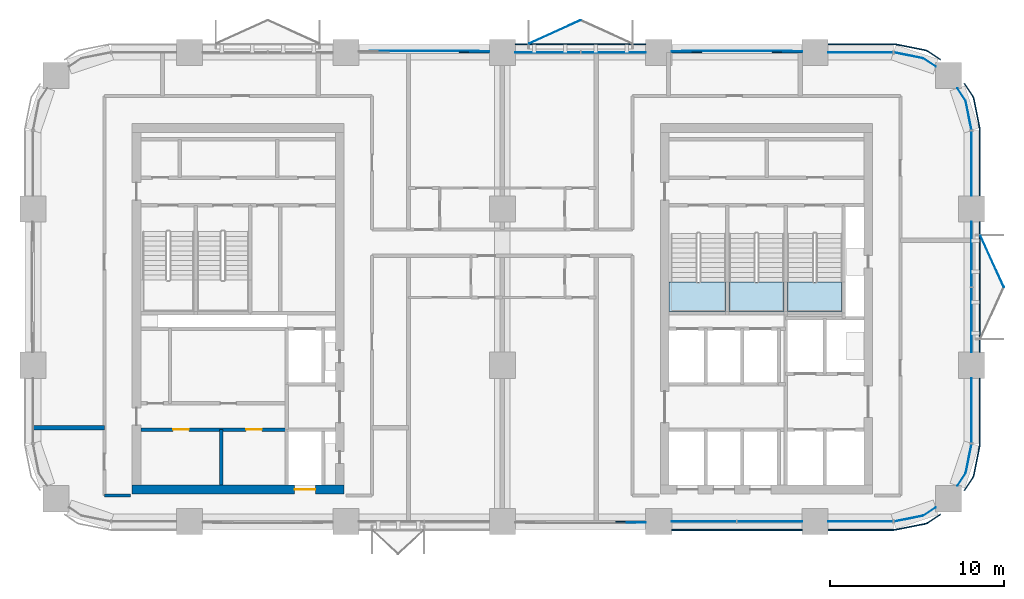
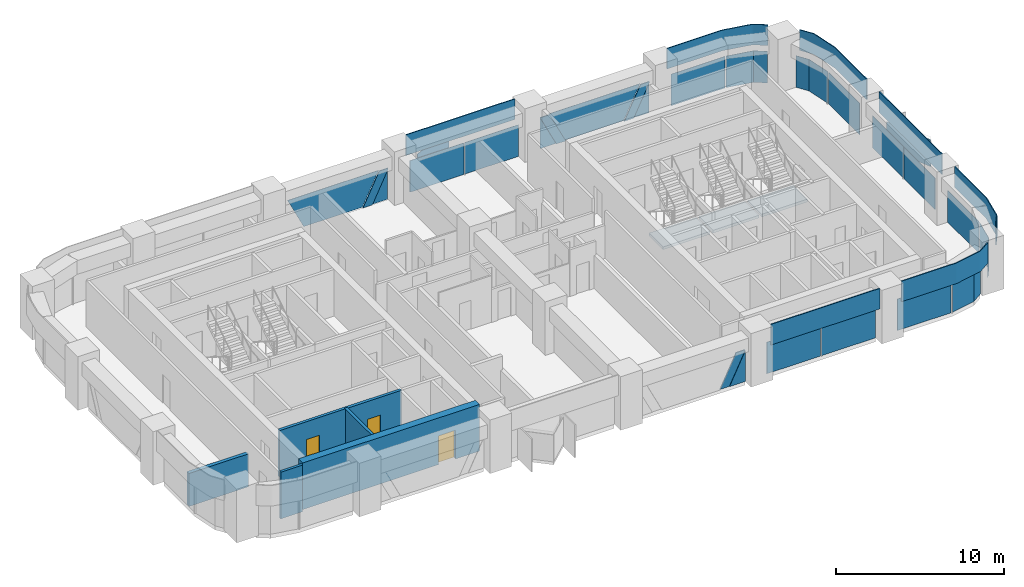
# One storey, part 7 of 14: 33 plates, 5 walls, 3 doors, 3 slabs, 3 openings, 13 elements without a shape of their own.
"""IFC4 building model written with IfcOpenShell, lengths in metres."""

from ifc_helpers import new_model, si_unit, direction, frame, frame_2d, origin, origin_2d, place, context, subcontext, project, spatial, polyline, rectangle, outline, extrude, material, layer, layer_set, type_object, element, fill, aggregate, save


model = new_model("IFC4")

# Units and contexts
model_context = context("Model", 3, precision=1e-05, world=origin(), true_north=direction((0.0, 1.0)))
body_context = subcontext(model_context, "Body", "Model", "MODEL_VIEW")
ifc_project = project(units=[si_unit("LENGTHUNIT", "METRE"), si_unit("AREAUNIT", "SQUARE_METRE"), si_unit("VOLUMEUNIT", "CUBIC_METRE"), si_unit("PLANEANGLEUNIT", "RADIAN"), si_unit("MASSUNIT", "GRAM", prefix="KILO")], contexts=[model_context])

# Site, building, storey
site_placement = place(None, origin())
site = spatial("IfcSite", under=ifc_project, at=site_placement, CompositionType="ELEMENT")
building_placement = place(site_placement, origin())
building = spatial("IfcBuilding", under=site, at=building_placement, Name="Tessera Arch", CompositionType="ELEMENT")
storey_placement = place(building_placement, frame((0.0, 0.0, 193.39990234375)))
storey = spatial("IfcBuildingStorey", under=building, at=storey_placement, Name="L46", CompositionType="ELEMENT", Elevation=193.39990234375)

# Curtain wall, plates
ifc_material_1 = material(Name="CW1 curtain wall")
curtain_wall_type_1 = type_object("IfcCurtainWallType", Name="CW1 curtain wall", PredefinedType="NOTDEFINED", material=ifc_material_1)
curtain_wall_1_placement = place(storey_placement, origin())
curtain_wall_1 = element("IfcCurtainWall", 1, at=curtain_wall_1_placement, inside=storey, type_object=curtain_wall_type_1, Name="CW1 curtain wall E54.27/0 L46", PredefinedType="NOTDEFINED")
ifc_material_2 = material(Name="Clear low-e glass", Category="glass")
ifc_material_3 = material(Name="Clear low-e glass", Category="glass")
ifc_layer_1 = layer(ifc_material_3, 0.028076171875)
ifc_layer_set_1 = layer_set([ifc_layer_1], Name="CW1 glass panel")
plate_type_1 = type_object("IfcPlateType", Name="CW1 glass panel", PredefinedType="CURTAIN_PANEL", material=ifc_layer_set_1)
plate_1_placement = place(storey_placement, frame((54.0, 38.610107421875, 0.0), z_axis=(0.0, 0.0, 1.0), x_axis=(0.0, 1.0, 0.0)))
plate_1 = element("IfcPlate", 2, at=plate_1_placement, type_object=plate_type_1, material=ifc_material_2, Name="CW1 glass panel E54.27/0 1.1.1", PredefinedType="CURTAIN_PANEL", context=body_context, shape_type="SweptSolid", body=[
    extrude(rectangle(XDim=3.719970703125, YDim=0.028076171875, at=origin_2d()), origin(), (0.0, 0.0, 1.0), 2.300048828125),
])
plate_2_placement = place(storey_placement, frame((54.0, 42.389892578125, 0.0), z_axis=(0.0, 0.0, 1.0), x_axis=(0.0, 1.0, 0.0)))
plate_2 = element("IfcPlate", 3, at=plate_2_placement, type_object=plate_type_1, material=ifc_material_2, Name="CW1 glass panel E54.27/0 1.2.1", PredefinedType="CURTAIN_PANEL", context=body_context, shape_type="SweptSolid", body=[
    extrude(rectangle(XDim=3.719970703125, YDim=0.028076171875, at=origin_2d()), origin(), (0.0, 0.0, 1.0), 2.300048828125),
])

curtain_wall_2_placement = place(storey_placement, origin())
curtain_wall_2 = element("IfcCurtainWall", 4, at=curtain_wall_2_placement, inside=storey, type_object=curtain_wall_type_1, Name="CW1 curtain wall N54.0/2 L46", PredefinedType="NOTDEFINED")
plate_3_placement = place(storey_placement, frame((33.389892578125, 54.0, 0.0), z_axis=(0.0, 0.0, 1.0), x_axis=(-1.0, 0.0, 0.0)))
plate_3 = element("IfcPlate", 5, at=plate_3_placement, type_object=plate_type_1, material=ifc_material_2, Name="CW1 glass panel N54.0/2 1.1.1", PredefinedType="CURTAIN_PANEL", context=body_context, shape_type="SweptSolid", body=[
    extrude(rectangle(XDim=3.719970703125, YDim=0.028076171875, at=origin_2d()), origin(), (0.0, 0.0, 1.0), 2.300048828125),
])
plate_4_placement = place(storey_placement, frame((29.610107421875, 54.0, 0.0), z_axis=(0.0, 0.0, 1.0), x_axis=(-1.0, 0.0, 0.0)))
plate_4 = element("IfcPlate", 6, at=plate_4_placement, type_object=plate_type_1, material=ifc_material_2, Name="CW1 glass panel N54.0/2 1.2.1", PredefinedType="CURTAIN_PANEL", context=body_context, shape_type="SweptSolid", body=[
    extrude(rectangle(XDim=3.719970703125, YDim=0.028076171875, at=origin_2d()), origin(), (0.0, 0.0, 1.0), 2.300048828125),
])

curtain_wall_3_placement = place(storey_placement, origin())
curtain_wall_3 = element("IfcCurtainWall", 7, at=curtain_wall_3_placement, inside=storey, type_object=curtain_wall_type_1, Name="CW1 curtain wall S27.0/4 L46", PredefinedType="NOTDEFINED")
plate_5_placement = place(storey_placement, frame((38.610107421875, 27.0, 0.0), z_axis=(0.0, 0.0, 1.0), x_axis=(1.0, 0.0, 0.0)))
plate_5 = element("IfcPlate", 8, at=plate_5_placement, type_object=plate_type_1, material=ifc_material_2, Name="CW1 glass panel S27.0/4 1.1.1", PredefinedType="CURTAIN_PANEL", context=body_context, shape_type="SweptSolid", body=[
    extrude(rectangle(XDim=3.719970703125, YDim=0.028076171875, at=origin_2d()), origin(), (0.0, 0.0, 1.0), 2.300048828125),
])
plate_6_placement = place(storey_placement, frame((42.389892578125, 27.0, 0.0), z_axis=(0.0, 0.0, 1.0), x_axis=(1.0, 0.0, 0.0)))
plate_6 = element("IfcPlate", 9, at=plate_6_placement, type_object=plate_type_1, material=ifc_material_2, Name="CW1 glass panel S27.0/4 1.2.1", PredefinedType="CURTAIN_PANEL", context=body_context, shape_type="SweptSolid", body=[
    extrude(rectangle(XDim=3.719970703125, YDim=0.028076171875, at=origin_2d()), origin(), (0.0, 0.0, 1.0), 2.300048828125),
])

# Plate
ifc_material_4 = material(Name="Pale anodised aluminium panel", Category="aluminium")
ifc_layer_2 = layer(ifc_material_4, 0.06005859375)
ifc_layer_set_2 = layer_set([ifc_layer_2], Name="CW1 spandrel panel")
plate_type_2 = type_object("IfcPlateType", Name="CW1 spandrel panel", PredefinedType="CURTAIN_PANEL", material=ifc_layer_set_2)
plate_7_placement = place(storey_placement, frame((54.47998046875, 40.5, 2.400146484375), z_axis=(0.0, 0.0, 1.0), x_axis=(0.0, 1.0, 0.0)))
plate_7 = element("IfcPlate", 10, at=plate_7_placement, type_object=plate_type_2, Name="CW1 spandrel panel E54.27/0", PredefinedType="CURTAIN_PANEL", context=body_context, shape_type="SweptSolid", body=[
    extrude(rectangle(XDim=7.5, YDim=0.06005859375, at=origin_2d()), origin(), (0.0, 0.0, 1.0), 1.5),
])

aggregate(curtain_wall_1, [plate_1, plate_2, plate_7])

plate_8_placement = place(storey_placement, frame((31.5, 54.47998046875, 2.400146484375), z_axis=(0.0, 0.0, 1.0), x_axis=(-1.0, 0.0, 0.0)))
plate_8 = element("IfcPlate", 11, at=plate_8_placement, type_object=plate_type_2, Name="CW1 spandrel panel N54.0/2", PredefinedType="CURTAIN_PANEL", context=body_context, shape_type="SweptSolid", body=[
    extrude(rectangle(XDim=7.5, YDim=0.06005859375, at=origin_2d()), origin(), (0.0, 0.0, 1.0), 1.5),
])

aggregate(curtain_wall_2, [plate_3, plate_4, plate_8])

plate_9_placement = place(storey_placement, frame((40.5, 26.52001953125, 2.400146484375), z_axis=(0.0, 0.0, 1.0), x_axis=(1.0, 0.0, 0.0)))
plate_9 = element("IfcPlate", 12, at=plate_9_placement, type_object=plate_type_2, Name="CW1 spandrel panel S27.0/4", PredefinedType="CURTAIN_PANEL", context=body_context, shape_type="SweptSolid", body=[
    extrude(rectangle(XDim=7.5, YDim=0.06005859375, at=origin_2d()), origin(), (0.0, 0.0, 1.0), 1.5),
])

aggregate(curtain_wall_3, [plate_5, plate_6, plate_9])

# Curtain wall, plates
ifc_material_5 = material(Name="CW2 curtain wall")
curtain_wall_type_2 = type_object("IfcCurtainWallType", Name="CW2 curtain wall", PredefinedType="NOTDEFINED", material=ifc_material_5)
curtain_wall_4_placement = place(storey_placement, origin())
curtain_wall_4 = element("IfcCurtainWall", 13, at=curtain_wall_4_placement, inside=storey, type_object=curtain_wall_type_2, Name="CW2 curtain wall E54.27/1 L46", PredefinedType="NOTDEFINED")
ifc_material_6 = material(Name="Clear low-e glass", Category="glass")
ifc_layer_3 = layer(ifc_material_6, 0.028076171875)
ifc_layer_set_3 = layer_set([ifc_layer_3], Name="CW2 glass panel")
plate_type_3 = type_object("IfcPlateType", Name="CW2 glass panel", PredefinedType="CURTAIN_PANEL", material=ifc_layer_set_3)
plate_10_placement = place(storey_placement, frame((54.0, 47.60498046875, 0.0), z_axis=(0.0, 0.0, 1.0), x_axis=(0.0, 1.0, 0.0)))
plate_10 = element("IfcPlate", 14, at=plate_10_placement, type_object=plate_type_3, material=ifc_material_2, Name="CW2 glass panel E54.27/1 1.1", PredefinedType="CURTAIN_PANEL", context=body_context, shape_type="SweptSolid", body=[
    extrude(rectangle(XDim=3.7099609375, YDim=0.028076171875, at=origin_2d()), origin(), (0.0, 0.0, 1.0), 2.300048828125),
])
plate_11_placement = place(storey_placement, origin())
plate_11 = element("IfcPlate", 15, at=plate_11_placement, type_object=plate_type_3, material=ifc_material_2, Name="CW2 curved glass panel E54.27/1 2.1", PredefinedType="CURTAIN_PANEL", context=body_context, shape_type="SweptSolid", body=[
    extrude(outline(polyline([(53.644287109375, 51.216552734375), (53.978515625, 49.53662109375), (54.005859375, 49.5419921875), (53.670654296875, 51.2275390625), (53.19482421875, 51.939697265625), (53.17138671875, 51.92431640625), (53.644287109375, 51.216552734375)])), origin(), (0.0, 0.0, 1.0), 2.300048828125),
])

curtain_wall_5_placement = place(storey_placement, origin())
curtain_wall_5 = element("IfcCurtainWall", 16, at=curtain_wall_5_placement, inside=storey, type_object=curtain_wall_type_2, Name="CW2 curtain wall N54.0/0 L46", PredefinedType="NOTDEFINED")
plate_12_placement = place(storey_placement, frame((47.60498046875, 54.0, 0.0), z_axis=(0.0, 0.0, 1.0), x_axis=(-1.0, 0.0, 0.0)))
plate_12 = element("IfcPlate", 17, at=plate_12_placement, type_object=plate_type_3, material=ifc_material_2, Name="CW2 glass panel N54.0/0 1.1", PredefinedType="CURTAIN_PANEL", context=body_context, shape_type="SweptSolid", body=[
    extrude(rectangle(XDim=3.7099609375, YDim=0.028076171875, at=origin_2d()), origin(), (0.0, 0.0, 1.0), 2.300048828125),
])
plate_13_placement = place(storey_placement, origin())
plate_13 = element("IfcPlate", 18, at=plate_13_placement, type_object=plate_type_3, material=ifc_material_2, Name="CW2 curved glass panel N54.0/0 2.1", PredefinedType="CURTAIN_PANEL", context=body_context, shape_type="SweptSolid", body=[
    extrude(outline(polyline([(51.216552734375, 53.644287109375), (51.92431640625, 53.17138671875), (51.939697265625, 53.19482421875), (51.2275390625, 53.670654296875), (49.5419921875, 54.005859375), (49.53662109375, 53.978515625), (51.216552734375, 53.644287109375)])), origin(), (0.0, 0.0, 1.0), 2.300048828125),
])

curtain_wall_6_placement = place(storey_placement, origin())
curtain_wall_6 = element("IfcCurtainWall", 19, at=curtain_wall_6_placement, inside=storey, type_object=curtain_wall_type_2, Name="CW2 curtain wall S27.0/5 L46", PredefinedType="NOTDEFINED")
plate_14_placement = place(storey_placement, frame((47.60498046875, 27.0, 0.0), z_axis=(0.0, 0.0, 1.0), x_axis=(1.0, 0.0, 0.0)))
plate_14 = element("IfcPlate", 20, at=plate_14_placement, type_object=plate_type_3, material=ifc_material_2, Name="CW2 glass panel S27.0/5 1.1", PredefinedType="CURTAIN_PANEL", context=body_context, shape_type="SweptSolid", body=[
    extrude(rectangle(XDim=3.7099609375, YDim=0.028076171875, at=origin_2d()), origin(), (0.0, 0.0, 1.0), 2.300048828125),
])
plate_15_placement = place(storey_placement, origin())
plate_15 = element("IfcPlate", 21, at=plate_15_placement, type_object=plate_type_3, material=ifc_material_2, Name="CW2 curved glass panel S27.0/5 2.1", PredefinedType="CURTAIN_PANEL", context=body_context, shape_type="SweptSolid", body=[
    extrude(outline(polyline([(51.216552734375, 27.355712890625), (49.53662109375, 27.021484375), (49.5419921875, 26.994140625), (51.2275390625, 27.329345703125), (51.939697265625, 27.80517578125), (51.92431640625, 27.82861328125), (51.216552734375, 27.355712890625)])), origin(), (0.0, 0.0, 1.0), 2.300048828125),
])

curtain_wall_7_placement = place(storey_placement, origin())
curtain_wall_7 = element("IfcCurtainWall", 22, at=curtain_wall_7_placement, inside=storey, type_object=curtain_wall_type_2, Name="CW2 curtain wall E54.27/2 L46", PredefinedType="NOTDEFINED")
plate_16_placement = place(storey_placement, frame((54.0, 33.39501953125, 0.0), z_axis=(0.0, 0.0, 1.0), x_axis=(0.0, 1.0, 0.0)))
plate_16 = element("IfcPlate", 23, at=plate_16_placement, type_object=plate_type_3, material=ifc_material_2, Name="CW2 glass panel E54.27/2 1.1", PredefinedType="CURTAIN_PANEL", context=body_context, shape_type="SweptSolid", body=[
    extrude(rectangle(XDim=3.7099609375, YDim=0.028076171875, at=origin_2d()), origin(), (0.0, 0.0, 1.0), 2.300048828125),
])
plate_17_placement = place(storey_placement, origin())
plate_17 = element("IfcPlate", 24, at=plate_17_placement, type_object=plate_type_3, material=ifc_material_2, Name="CW2 curved glass panel E54.27/2 2.1", PredefinedType="CURTAIN_PANEL", context=body_context, shape_type="SweptSolid", body=[
    extrude(outline(polyline([(53.644287109375, 29.783447265625), (53.17138671875, 29.07568359375), (53.19482421875, 29.060302734375), (53.670654296875, 29.7724609375), (54.005859375, 31.4580078125), (53.978515625, 31.46337890625), (53.644287109375, 29.783447265625)])), origin(), (0.0, 0.0, 1.0), 2.300048828125),
])

# Plate
ifc_material_7 = material(Name="Pale anodised aluminium panel", Category="aluminium")
ifc_layer_4 = layer(ifc_material_7, 0.06005859375)
ifc_layer_set_4 = layer_set([ifc_layer_4], Name="CW2 spandrel panel")
plate_type_4 = type_object("IfcPlateType", Name="CW2 spandrel panel", PredefinedType="CURTAIN_PANEL", material=ifc_layer_set_4)
plate_18_placement = place(storey_placement, frame((0.0, 0.0, 2.400146484375)))
plate_18 = element("IfcPlate", 25, at=plate_18_placement, type_object=plate_type_4, Name="CW2 spandrel panel E54.27/1", PredefinedType="CURTAIN_PANEL", context=body_context, shape_type="SweptSolid", body=[
    extrude(outline(polyline([(54.449951171875, 49.499267578125), (54.449951171875, 45.75), (54.510009765625, 45.75), (54.510009765625, 49.500732421875), (54.507568359375, 49.550048828125), (54.500244140625, 49.598876953125), (54.157470703125, 51.322265625), (54.1455078125, 51.3701171875), (54.128662109375, 51.417236328125), (54.107421875, 51.462646484375), (54.08203125, 51.5048828125), (53.607177734375, 52.21533203125), (53.55712890625, 52.18212890625), (54.03125, 51.47265625), (54.054443359375, 51.434326171875), (54.0732421875, 51.394287109375), (54.088134765625, 51.352783203125), (54.09912109375, 51.30908203125), (54.441162109375, 49.588623046875), (54.44775390625, 49.544189453125), (54.449951171875, 49.499267578125)])), origin(), (0.0, 0.0, 1.0), 1.5),
])

aggregate(curtain_wall_4, [plate_10, plate_11, plate_18])

plate_19_placement = place(storey_placement, frame((0.0, 0.0, 2.400146484375)))
plate_19 = element("IfcPlate", 26, at=plate_19_placement, type_object=plate_type_4, Name="CW2 spandrel panel N54.0/0", PredefinedType="CURTAIN_PANEL", context=body_context, shape_type="SweptSolid", body=[
    extrude(outline(polyline([(51.47265625, 54.03125), (52.18212890625, 53.55712890625), (52.21533203125, 53.607177734375), (51.5048828125, 54.08203125), (51.462646484375, 54.107421875), (51.417236328125, 54.128662109375), (51.3701171875, 54.1455078125), (51.322265625, 54.157470703125), (49.598876953125, 54.500244140625), (49.550048828125, 54.507568359375), (49.500732421875, 54.510009765625), (45.75, 54.510009765625), (45.75, 54.449951171875), (49.499267578125, 54.449951171875), (49.544189453125, 54.44775390625), (49.588623046875, 54.441162109375), (51.30908203125, 54.09912109375), (51.352783203125, 54.088134765625), (51.394287109375, 54.0732421875), (51.434326171875, 54.054443359375), (51.47265625, 54.03125)])), origin(), (0.0, 0.0, 1.0), 1.5),
])

aggregate(curtain_wall_5, [plate_12, plate_13, plate_19])

plate_20_placement = place(storey_placement, frame((0.0, 0.0, 2.400146484375)))
plate_20 = element("IfcPlate", 27, at=plate_20_placement, type_object=plate_type_4, Name="CW2 spandrel panel S27.0/5", PredefinedType="CURTAIN_PANEL", context=body_context, shape_type="SweptSolid", body=[
    extrude(outline(polyline([(49.499267578125, 26.550048828125), (45.75, 26.550048828125), (45.75, 26.489990234375), (49.500732421875, 26.489990234375), (49.550048828125, 26.492431640625), (49.598876953125, 26.499755859375), (51.322265625, 26.842529296875), (51.3701171875, 26.8544921875), (51.417236328125, 26.871337890625), (51.462646484375, 26.892578125), (51.5048828125, 26.91796875), (52.21533203125, 27.392822265625), (52.18212890625, 27.44287109375), (51.47265625, 26.96875), (51.434326171875, 26.945556640625), (51.394287109375, 26.9267578125), (51.352783203125, 26.911865234375), (51.30908203125, 26.90087890625), (49.588623046875, 26.558837890625), (49.544189453125, 26.55224609375), (49.499267578125, 26.550048828125)])), origin(), (0.0, 0.0, 1.0), 1.5),
])

aggregate(curtain_wall_6, [plate_14, plate_15, plate_20])

plate_21_placement = place(storey_placement, frame((0.0, 0.0, 2.400146484375)))
plate_21 = element("IfcPlate", 28, at=plate_21_placement, type_object=plate_type_4, Name="CW2 spandrel panel E54.27/2", PredefinedType="CURTAIN_PANEL", context=body_context, shape_type="SweptSolid", body=[
    extrude(outline(polyline([(54.03125, 29.52734375), (53.55712890625, 28.81787109375), (53.607177734375, 28.78466796875), (54.08203125, 29.4951171875), (54.107421875, 29.537353515625), (54.128662109375, 29.582763671875), (54.1455078125, 29.6298828125), (54.157470703125, 29.677734375), (54.500244140625, 31.401123046875), (54.507568359375, 31.449951171875), (54.510009765625, 31.499267578125), (54.510009765625, 35.25), (54.449951171875, 35.25), (54.449951171875, 31.500732421875), (54.44775390625, 31.455810546875), (54.441162109375, 31.411376953125), (54.09912109375, 29.69091796875), (54.088134765625, 29.647216796875), (54.0732421875, 29.605712890625), (54.054443359375, 29.565673828125), (54.03125, 29.52734375)])), origin(), (0.0, 0.0, 1.0), 1.5),
])

aggregate(curtain_wall_7, [plate_16, plate_17, plate_21])

# Curtain wall, plates
ifc_material_8 = material(Name="CW3 curtain wall")
curtain_wall_type_3 = type_object("IfcCurtainWallType", Name="CW3 curtain wall", PredefinedType="NOTDEFINED", material=ifc_material_8)
curtain_wall_8_placement = place(storey_placement, origin())
curtain_wall_8 = element("IfcCurtainWall", 29, at=curtain_wall_8_placement, inside=storey, type_object=curtain_wall_type_3, Name="CW3 curtain wall N54.0/1 L46", PredefinedType="NOTDEFINED")
ifc_material_9 = material(Name="Pale anodised aluminium panel", Category="aluminium")
ifc_layer_5 = layer(ifc_material_9, 0.06005859375)
ifc_layer_set_5 = layer_set([ifc_layer_5], Name="CW3 diagonal panel")
plate_type_5 = type_object("IfcPlateType", Name="CW3 diagonal panel", PredefinedType="CURTAIN_PANEL", material=ifc_layer_set_5)
plate_22_placement = place(storey_placement, frame((36.75, 54.030029296875, 2.300048828125), z_axis=(0.0, 1.0, 0.0), x_axis=(1.0, 0.0, 0.0)))
plate_22 = element("IfcPlate", 30, at=plate_22_placement, type_object=plate_type_5, Name="CW3 diagonal panel N54.0/1 1", PredefinedType="CURTAIN_PANEL", context=body_context, shape_type="SweptSolid", body=[
    extrude(outline(polyline([(0.0, 0.0), (0.613037109375, 0.0), (1.7333984375, 2.300048828125), (1.09130859375, 2.300048828125), (0.0, 0.058837890625), (0.0, 0.0)])), origin(), (0.0, 0.0, -1.0), 0.06005859375),
])
plate_23_placement = place(storey_placement, frame((44.25, 54.030029296875, 2.300048828125), z_axis=(0.0, 1.0, 0.0), x_axis=(0.0, 0.0, -1.0)))
plate_23 = element("IfcPlate", 31, at=plate_23_placement, type_object=plate_type_5, Name="CW3 diagonal panel N54.0/1 2", PredefinedType="CURTAIN_PANEL", context=body_context, shape_type="SweptSolid", body=[
    extrude(outline(polyline([(0.0, 0.0), (0.058837890625, 0.0), (2.300048828125, 1.09130859375), (2.300048828125, 1.7333984375), (0.0, 0.613037109375), (0.0, 0.0)])), origin(), (0.0, 0.0, -1.0), 0.06005859375),
])

# Curtain wall, plate
curtain_wall_9_placement = place(storey_placement, origin())
curtain_wall_9 = element("IfcCurtainWall", 32, at=curtain_wall_9_placement, inside=storey, type_object=curtain_wall_type_3, Name="CW3 curtain wall N54.0/3 L46", PredefinedType="NOTDEFINED")
plate_24_placement = place(storey_placement, frame((26.25, 54.030029296875, 2.300048828125), z_axis=(0.0, 1.0, 0.0), x_axis=(0.0, 0.0, -1.0)))
plate_24 = element("IfcPlate", 33, at=plate_24_placement, type_object=plate_type_5, Name="CW3 diagonal panel N54.0/3 2", PredefinedType="CURTAIN_PANEL", context=body_context, shape_type="SweptSolid", body=[
    extrude(outline(polyline([(0.0, 0.0), (0.058837890625, 0.0), (2.300048828125, 1.09130859375), (2.300048828125, 1.7333984375), (0.0, 0.613037109375), (0.0, 0.0)])), origin(), (0.0, 0.0, -1.0), 0.06005859375),
])

curtain_wall_10_placement = place(storey_placement, origin())
curtain_wall_10 = element("IfcCurtainWall", 34, at=curtain_wall_10_placement, inside=storey, type_object=curtain_wall_type_3, Name="CW3 curtain wall S27.0/3 L46", PredefinedType="NOTDEFINED")
plate_25_placement = place(storey_placement, frame((35.25, 26.969970703125, 2.300048828125), z_axis=(0.0, -1.0, 0.0), x_axis=(-1.0, 0.0, 0.0)))
plate_25 = element("IfcPlate", 35, at=plate_25_placement, type_object=plate_type_5, Name="CW3 diagonal panel S27.0/3 1", PredefinedType="CURTAIN_PANEL", context=body_context, shape_type="SweptSolid", body=[
    extrude(outline(polyline([(0.0, 0.0), (0.613037109375, 0.0), (1.7333984375, 2.300048828125), (1.09130859375, 2.300048828125), (0.0, 0.058837890625), (0.0, 0.0)])), origin(), (0.0, 0.0, -1.0), 0.06005859375),
])

# Plate
ifc_material_10 = material(Name="Clear low-e glass", Category="glass")
ifc_layer_6 = layer(ifc_material_10, 0.028076171875)
ifc_layer_set_6 = layer_set([ifc_layer_6], Name="CW3 glass panel")
plate_type_6 = type_object("IfcPlateType", Name="CW3 glass panel", PredefinedType="CURTAIN_PANEL", material=ifc_layer_set_6)
plate_26_placement = place(storey_placement, frame((44.25, 54.05810546875, 0.0), z_axis=(0.0, 1.0, 0.0), x_axis=(-1.0, 0.0, 0.0)))
plate_26 = element("IfcPlate", 36, at=plate_26_placement, type_object=plate_type_6, material=ifc_material_2, Name="CW3 triangulated glass panel N54.0/1 1", PredefinedType="CURTAIN_PANEL", context=body_context, shape_type="SweptSolid", body=[
    extrude(outline(polyline([(0.0, 0.0), (1.09130859375, 0.0), (0.0, 2.2412109375), (0.0, 0.0)])), origin(), (0.0, 0.0, -1.0), 0.028076171875),
])

plate_27_placement = place(storey_placement, frame((37.363037109375, 54.0859375, 2.300048828125), z_axis=(0.0, 1.0, 0.0), x_axis=(1.0, 0.0, 0.0)))
plate_27 = element("IfcPlate", 37, at=plate_27_placement, type_object=plate_type_6, material=ifc_material_2, Name="CW3 triangulated glass panel N54.0/1 2", PredefinedType="CURTAIN_PANEL", context=body_context, shape_type="SweptSolid", body=[
    extrude(outline(polyline([(0.0, 0.0), (6.27392578125, 0.0), (5.153564453125, 2.300048828125), (1.120361328125, 2.300048828125), (0.0, 0.0)])), origin(), (0.0, 0.0, -1.0), 0.028076171875),
])

plate_28_placement = place(storey_placement, frame((36.75, 54.05810546875, 0.0), z_axis=(0.0, 1.0, 0.0), x_axis=(0.0, 0.0, 1.0)))
plate_28 = element("IfcPlate", 38, at=plate_28_placement, type_object=plate_type_6, material=ifc_material_2, Name="CW3 triangulated glass panel N54.0/1 3", PredefinedType="CURTAIN_PANEL", context=body_context, shape_type="SweptSolid", body=[
    extrude(outline(polyline([(0.0, 0.0), (2.2412109375, 0.0), (0.0, 1.09130859375), (0.0, 0.0)])), origin(), (0.0, 0.0, -1.0), 0.028076171875),
])

aggregate(curtain_wall_8, [plate_26, plate_27, plate_28, plate_22, plate_23])

plate_29_placement = place(storey_placement, frame((26.25, 54.05810546875, 0.0), z_axis=(0.0, 1.0, 0.0), x_axis=(-1.0, 0.0, 0.0)))
plate_29 = element("IfcPlate", 39, at=plate_29_placement, type_object=plate_type_6, material=ifc_material_2, Name="CW3 triangulated glass panel N54.0/3 1", PredefinedType="CURTAIN_PANEL", context=body_context, shape_type="SweptSolid", body=[
    extrude(outline(polyline([(0.0, 0.0), (1.09130859375, 0.0), (0.0, 2.2412109375), (0.0, 0.0)])), origin(), (0.0, 0.0, -1.0), 0.028076171875),
])

plate_30_placement = place(storey_placement, frame((19.363037109375, 54.0859375, 2.300048828125), z_axis=(0.0, 1.0, 0.0), x_axis=(1.0, 0.0, 0.0)))
plate_30 = element("IfcPlate", 40, at=plate_30_placement, type_object=plate_type_6, material=ifc_material_2, Name="CW3 triangulated glass panel N54.0/3 2", PredefinedType="CURTAIN_PANEL", context=body_context, shape_type="SweptSolid", body=[
    extrude(outline(polyline([(0.0, 0.0), (6.27392578125, 0.0), (5.153564453125, 2.300048828125), (1.120361328125, 2.300048828125), (0.0, 0.0)])), origin(), (0.0, 0.0, -1.0), 0.028076171875),
])

aggregate(curtain_wall_9, [plate_29, plate_30, plate_24])

plate_31_placement = place(storey_placement, frame((35.25, 26.94189453125, 0.0), z_axis=(0.0, -1.0, 0.0), x_axis=(0.0, 0.0, 1.0)))
plate_31 = element("IfcPlate", 41, at=plate_31_placement, type_object=plate_type_6, material=ifc_material_2, Name="CW3 triangulated glass panel S27.0/3 3", PredefinedType="CURTAIN_PANEL", context=body_context, shape_type="SweptSolid", body=[
    extrude(outline(polyline([(0.0, 0.0), (2.2412109375, 0.0), (0.0, 1.09130859375), (0.0, 0.0)])), origin(), (0.0, 0.0, -1.0), 0.028076171875),
])

aggregate(curtain_wall_10, [plate_31, plate_25])

# Stair, slab
ifc_material_11 = material(Name="Concrete C40/50", Category="concrete")
stair_type = type_object("IfcStairType", Name="Dogleg stair 1520", PredefinedType="HALF_TURN_STAIR", material=ifc_material_11)
stair_1_placement = place(storey_placement, origin())
stair_1 = element("IfcStair", 42, at=stair_1_placement, inside=storey, type_object=stair_type, Name="L46 S1a", PredefinedType="HALF_TURN_STAIR")
ifc_material_12 = material(Name="Concrete C40/50", Category="concrete")
ifc_layer_7 = layer(ifc_material_12, 0.300048828125)
ifc_layer_set_7 = layer_set([ifc_layer_7], Name="Stair landing 300")
slab_type = type_object("IfcSlabType", Name="Stair landing 300", PredefinedType="LANDING", material=ifc_layer_set_7)
slab_1_placement = place(storey_placement, frame((0.0, 0.0, 1.75)))
slab_1 = element("IfcSlab", 43, at=slab_1_placement, type_object=slab_type, Name="S1a landing 1", PredefinedType="LANDING", context=body_context, shape_type="SweptSolid", body=[
    extrude(outline(polyline([(36.60009765625, 40.780029296875), (36.60009765625, 39.10009765625), (39.85009765625, 39.10009765625), (39.85009765625, 40.780029296875), (36.60009765625, 40.780029296875)])), origin(), (0.0, 0.0, 1.0), 0.2001953125),
])
aggregate(stair_1, [slab_1])

stair_2_placement = place(storey_placement, origin())
stair_2 = element("IfcStair", 44, at=stair_2_placement, inside=storey, type_object=stair_type, Name="L46 S1b", PredefinedType="HALF_TURN_STAIR")
slab_2_placement = place(storey_placement, frame((0.0, 0.0, 1.75)))
slab_2 = element("IfcSlab", 45, at=slab_2_placement, type_object=slab_type, Name="S1b landing 1", PredefinedType="LANDING", context=body_context, shape_type="SweptSolid", body=[
    extrude(outline(polyline([(40.050048828125, 40.780029296875), (40.050048828125, 39.10009765625), (43.199951171875, 39.10009765625), (43.199951171875, 40.780029296875), (40.050048828125, 40.780029296875)])), origin(), (0.0, 0.0, 1.0), 0.2001953125),
])
aggregate(stair_2, [slab_2])

stair_3_placement = place(storey_placement, origin())
stair_3 = element("IfcStair", 46, at=stair_3_placement, inside=storey, type_object=stair_type, Name="L46 S1c", PredefinedType="HALF_TURN_STAIR")
slab_3_placement = place(storey_placement, frame((0.0, 0.0, 1.75)))
slab_3 = element("IfcSlab", 47, at=slab_3_placement, type_object=slab_type, Name="S1c landing 1", PredefinedType="LANDING", context=body_context, shape_type="SweptSolid", body=[
    extrude(outline(polyline([(43.39990234375, 40.780029296875), (43.39990234375, 39.10009765625), (46.550048828125, 39.10009765625), (46.550048828125, 40.780029296875), (43.39990234375, 40.780029296875)])), origin(), (0.0, 0.0, 1.0), 0.2001953125),
])
aggregate(stair_3, [slab_3])

# Plates
ifc_material_13 = material(Name="Clear low-e glass", Category="glass")
ifc_layer_8 = layer(ifc_material_13, 0.028076171875)
ifc_layer_set_8 = layer_set([ifc_layer_8], Name="Window box glass facet")
plate_type_7 = type_object("IfcPlateType", Name="Window box glass facet", PredefinedType="SHEET", material=ifc_layer_set_8)
for number, where, z_axis, x_axis, name in (
    (48, (30.02490234375, 55.179931640625, 0.22021484375), (0.0, 0.0, 1.0), (0.910472144558, 0.413570397858, 0.0), "Window box N54.0/2.0 2x1 glass"),
    (49, (55.179931640625, 41.97509765625, 0.22021484375), (0.0, 0.0, 1.0), (0.413570397858, -0.910472144558, 0.0), "Window box E54.27/0.0 2x1 glass"),
):
    element("IfcPlate", number, at=place(storey_placement, frame(where, z_axis=z_axis, x_axis=x_axis)), inside=storey, type_object=plate_type_7, Name=name, PredefinedType="SHEET", context=body_context, shape_type="SweptSolid", body=[
        extrude(rectangle(XDim=3.239990234375, YDim=0.028076171875, at=origin_2d()), origin(), (0.0, 0.0, 1.0), 1.9599609375),
    ])

# Wall
ifc_material_14 = material(Name="Gypsum board on steel stud", Category="steel")
ifc_layer_9 = layer(ifc_material_14, 0.125)
ifc_layer_set_9 = layer_set([ifc_layer_9], Name="Core partition 125 EI 60")
wall_type_1 = type_object("IfcWallType", Name="Core partition 125 EI 60", PredefinedType="PARTITIONING", material=ifc_layer_set_9)
wall_1_placement = place(storey_placement, frame((10.820068359375, 29.10009765625, 0.0), z_axis=(0.0, 0.0, 1.0), x_axis=(0.0, 1.0, 0.0)))
element("IfcWall", 50, at=wall_1_placement, inside=storey, type_object=wall_type_1, Name="L46 C2 partition wall 5", PredefinedType="PARTITIONING", context=body_context, shape_type="SweptSolid", body=[
    extrude(rectangle(XDim=3.199951171875, YDim=0.199951171875, at=frame_2d((1.60009765625, 0.0))), origin(), (0.0, 0.0, 1.0), 3.400146484375),
])

# Wall, openings, doors
wall_2_placement = place(storey_placement, frame((6.199951171875, 32.300048828125, 0.0), z_axis=(0.0, 0.0, 1.0), x_axis=(1.0, 0.0, 0.0)))
wall_2 = element("IfcWall", 51, at=wall_2_placement, inside=storey, type_object=wall_type_1, Name="L46 C2 partition wall 15", PredefinedType="PARTITIONING", context=body_context, shape_type="SweptSolid", body=[
    extrude(rectangle(XDim=8.400146484375, YDim=0.199951171875, at=frame_2d((4.2001953125, 0.0))), origin(), (0.0, 0.0, 1.0), 3.400146484375),
])
opening_1_placement = place(wall_2_placement, frame((1.860107421875, 0.0, 0.0)))
opening_1 = element("IfcOpeningElement", 52, at=opening_1_placement, cuts=wall_2, Name="Opening L46-C34", PredefinedType="OPENING", context=body_context, shape_type="SweptSolid", body=[
    extrude(rectangle(XDim=0.89990234375, YDim=2.10009765625, at=frame_2d((0.449951171875, 1.050048828125))), frame((0.0, 0.10986328125, 0.0), z_axis=(0.0, -1.0, 0.0), x_axis=(1.0, 0.0, 0.0)), (0.0, 0.0, 1.0), 0.219970703125),
])
opening_2_placement = place(wall_2_placement, frame((6.06005859375, 0.0, 0.0)))
opening_2 = element("IfcOpeningElement", 53, at=opening_2_placement, cuts=wall_2, Name="Opening L46-C35", PredefinedType="OPENING", context=body_context, shape_type="SweptSolid", body=[
    extrude(rectangle(XDim=0.89990234375, YDim=2.10009765625, at=frame_2d((0.449951171875, 1.050048828125))), frame((0.0, 0.10986328125, 0.0), z_axis=(0.0, -1.0, 0.0), x_axis=(1.0, 0.0, 0.0)), (0.0, 0.0, 1.0), 0.219970703125),
])
ifc_material_15 = material(Name="Steel door leaf", Category="steel")
door_type_1 = type_object("IfcDoorType", Name="Store door FD30S 900 x 2100", OperationType="SINGLE_SWING_LEFT", PredefinedType="DOOR", material=ifc_material_15)
door_1_placement = place(opening_1_placement, origin())
door_1 = element("IfcDoor", 54, at=door_1_placement, inside=storey, type_object=door_type_1, Name="L46 C2 door 15 C34 type D09", OperationType="SINGLE_SWING_LEFT", OverallHeight=2.10009765625, OverallWidth=0.89990234375, PredefinedType="DOOR", context=body_context, shape_type="SweptSolid", body=[
    extrude(rectangle(XDim=0.89990234375, YDim=2.10009765625, at=frame_2d((0.449951171875, 1.050048828125))), frame((0.0, 0.02490234375, 0.0), z_axis=(0.0, -1.0, 0.0), x_axis=(1.0, 0.0, 0.0)), (0.0, 0.0, 1.0), 0.050048828125),
])
fill(opening_1, door_1)
door_2_placement = place(opening_2_placement, origin())
door_2 = element("IfcDoor", 55, at=door_2_placement, inside=storey, type_object=door_type_1, Name="L46 C2 door 16 C35 type D09", OperationType="SINGLE_SWING_RIGHT", OverallHeight=2.10009765625, OverallWidth=0.89990234375, PredefinedType="DOOR", context=body_context, shape_type="SweptSolid", body=[
    extrude(rectangle(XDim=0.89990234375, YDim=2.10009765625, at=frame_2d((0.449951171875, 1.050048828125))), frame((0.0, 0.02490234375, 0.0), z_axis=(0.0, -1.0, 0.0), x_axis=(1.0, 0.0, 0.0)), (0.0, 0.0, 1.0), 0.050048828125),
])
fill(opening_2, door_2)

# Wall, opening, door
ifc_material_16 = material(Name="Concrete C60/75", Category="concrete")
ifc_layer_10 = layer(ifc_material_16, 0.5)
ifc_layer_set_10 = layer_set([ifc_layer_10], Name="Core shell wall 500 C60-75")
wall_type_2 = type_object("IfcWallType", Name="Core shell wall 500 C60-75", PredefinedType="SHEAR", material=ifc_layer_set_10)
wall_3_placement = place(storey_placement, frame((5.699951171875, 28.85009765625, 0.0), z_axis=(0.0, 0.0, 1.0), x_axis=(1.0, 0.0, 0.0)))
wall_3 = element("IfcWall", 56, at=wall_3_placement, inside=storey, type_object=wall_type_2, Name="L46 C2 core wall S", PredefinedType="SHEAR", context=body_context, shape_type="SweptSolid", body=[
    extrude(rectangle(XDim=12.199951171875, YDim=0.5, at=frame_2d((6.10009765625, 0.0))), origin(), (0.0, 0.0, 1.0), 3.400146484375),
])
opening_3_placement = place(wall_3_placement, frame((9.35009765625, 0.0, 0.0)))
opening_3 = element("IfcOpeningElement", 57, at=opening_3_placement, cuts=wall_3, Name="Opening L46-C20", PredefinedType="OPENING", context=body_context, shape_type="SweptSolid", body=[
    extrude(rectangle(XDim=1.199951171875, YDim=2.10009765625, at=frame_2d((0.60009765625, 1.050048828125))), frame((0.0, 0.260009765625, 0.0), z_axis=(0.0, -1.0, 0.0), x_axis=(1.0, 0.0, 0.0)), (0.0, 0.0, 1.0), 0.52001953125),
])
ifc_material_17 = material(Name="Stainless steel AISI 304", Category="steel")
door_type_2 = type_object("IfcDoorType", Name="Sliding landing door 1200 x 2100", OperationType="SLIDING_TO_LEFT", PredefinedType="DOOR", material=ifc_material_17)
door_3_placement = place(opening_3_placement, origin())
door_3 = element("IfcDoor", 58, at=door_3_placement, inside=storey, type_object=door_type_2, Name="L46 HR7 lift landing door C20 type LD", OperationType="SLIDING_TO_LEFT", OverallHeight=2.10009765625, OverallWidth=1.199951171875, PredefinedType="DOOR", context=body_context, shape_type="SweptSolid", body=[
    extrude(rectangle(XDim=1.199951171875, YDim=2.10009765625, at=frame_2d((0.60009765625, 1.050048828125))), frame((0.0, 0.02490234375, 0.0), z_axis=(0.0, -1.0, 0.0), x_axis=(1.0, 0.0, 0.0)), (0.0, 0.0, 1.0), 0.050048828125),
])
fill(opening_3, door_3)

# Walls
ifc_material_18 = material(Name="Gypsum board on deep steel stud with mineral wool", Category="steel")
ifc_layer_11 = layer(ifc_material_18, 0.175048828125)
ifc_layer_set_11 = layer_set([ifc_layer_11], Name="Corridor wall 175 EI 60")
wall_type_3 = type_object("IfcWallType", Name="Corridor wall 175 EI 60", PredefinedType="PARTITIONING", material=ifc_layer_set_11)
wall_4_placement = place(storey_placement, frame((4.10009765625, 28.5, 0.0), z_axis=(0.0, 0.0, 1.0), x_axis=(1.0, 0.0, 0.0)))
element("IfcWall", 59, at=wall_4_placement, inside=storey, type_object=wall_type_3, Name="L46 partition 1", PredefinedType="PARTITIONING", context=body_context, shape_type="SweptSolid", body=[
    extrude(rectangle(XDim=1.5, YDim=0.175048828125, at=frame_2d((0.75, 0.0))), origin(), (0.0, 0.0, 1.0), 3.400146484375),
])
ifc_material_19 = material(Name="Double gypsum board on twin steel stud with acoustic mineral wool", Category="steel")
ifc_layer_12 = layer(ifc_material_19, 0.25)
ifc_layer_set_12 = layer_set([ifc_layer_12], Name="Party wall 250 EI 60")
wall_type_4 = type_object("IfcWallType", Name="Party wall 250 EI 60", PredefinedType="PARTITIONING", material=ifc_layer_set_12)
wall_5_placement = place(storey_placement, frame((0.0, 32.39990234375, 0.0), z_axis=(0.0, 0.0, 1.0), x_axis=(1.0, 0.0, 0.0)))
element("IfcWall", 60, at=wall_5_placement, inside=storey, type_object=wall_type_4, Name="L46 partition 19", PredefinedType="PARTITIONING", context=body_context, shape_type="SweptSolid", body=[
    extrude(rectangle(XDim=4.10009765625, YDim=0.25, at=frame_2d((2.050048828125, 0.0))), origin(), (0.0, 0.0, 1.0), 2.400146484375),
])

save(model, "model.ifc")
